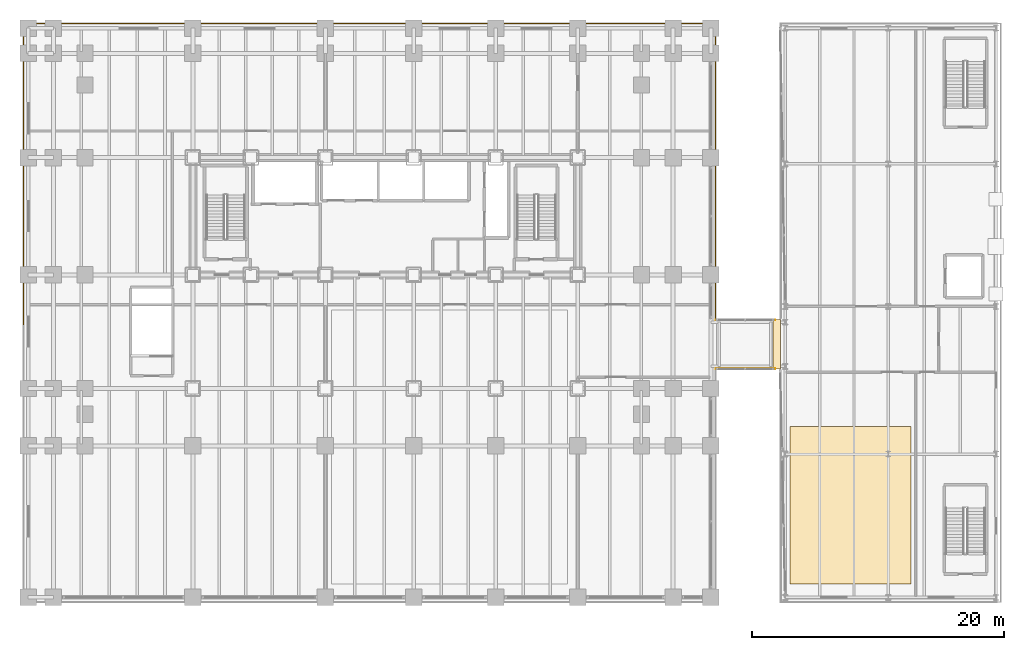
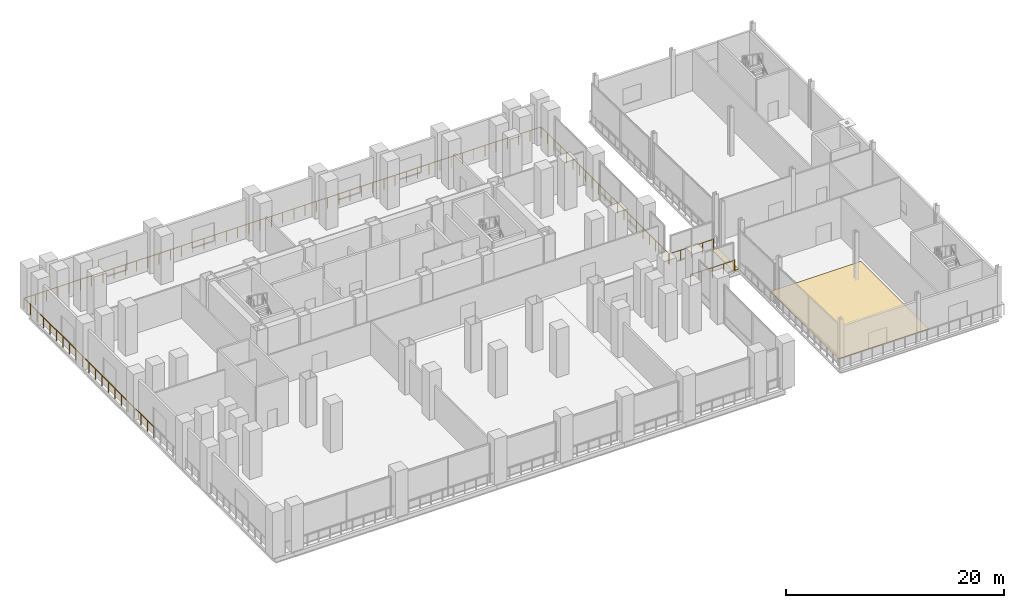
# One storey, part 28 of 30: 3 railings, 2 coverings.
"""IFC4 building model written with IfcOpenShell, lengths in metres."""

from ifc_helpers import new_model, si_unit, direction, frame, origin, origin_2d, place, context, subcontext, project, spatial, polyline, circle, outline, extrude, material, layer, layer_set, type_object, element, save


model = new_model("IFC4")

# Units and contexts
model_context = context("Model", 3, precision=1e-05, world=origin(), true_north=direction((0.0, 1.0)))
body_context = subcontext(model_context, "Body", "Model", "MODEL_VIEW")
ifc_project = project(units=[si_unit("LENGTHUNIT", "METRE"), si_unit("AREAUNIT", "SQUARE_METRE"), si_unit("VOLUMEUNIT", "CUBIC_METRE"), si_unit("PLANEANGLEUNIT", "RADIAN"), si_unit("MASSUNIT", "GRAM", prefix="KILO")], contexts=[model_context])

# Site, building, storey
site_placement = place(None, origin())
site = spatial("IfcSite", under=ifc_project, at=site_placement, CompositionType="ELEMENT")
building_placement = place(site_placement, origin())
building = spatial("IfcBuilding", under=site, at=building_placement, Name="Noeulbin Bourse Tower", CompositionType="ELEMENT")
storey_placement = place(building_placement, frame((0.0, 0.0, 16.60009765625)))
storey = spatial("IfcBuildingStorey", under=building, at=storey_placement, Name="L04", CompositionType="ELEMENT", Elevation=16.60009765625)

# Coverings
ifc_material_1 = material(Name="Honed Geumjeong Granite Paving", Category="masonry")
ifc_layer_1 = layer(ifc_material_1, 0.030029296875)
ifc_layer_set_1 = layer_set([ifc_layer_1], Name="Honed Geumjeong Granite Paving")
covering_type = type_object("IfcCoveringType", Name="COV-FLR-STN", PredefinedType="FLOORING", material=ifc_layer_set_1)
covering_1_placement = place(storey_placement, origin())
element("IfcCovering", 1, at=covering_1_placement, inside=storey, type_object=covering_type, Name="Market Hall Granite Paving L04", PredefinedType="FLOORING", context=body_context, shape_type="SweptSolid", body=[
    extrude(outline(polyline([(60.800048828125, 4.5), (70.39990234375, 4.5), (70.39990234375, 17.0), (60.800048828125, 17.0), (60.800048828125, 4.5)])), origin(), (0.0, 0.0, 1.0), 0.02978515625),
])
covering_2_placement = place(storey_placement, origin())
element("IfcCovering", 2, at=covering_2_placement, inside=storey, type_object=covering_type, Name="Seismic Expansion Joint Floor Cover L04", PredefinedType="FLOORING", context=body_context, shape_type="SweptSolid", body=[
    extrude(outline(polyline([(59.47998046875, 21.550048828125), (60.070068359375, 21.550048828125), (60.070068359375, 25.449951171875), (59.47998046875, 25.449951171875), (59.47998046875, 21.550048828125)])), origin(), (0.0, 0.0, 1.0), 0.02978515625),
])

# Railings
ifc_material_2 = material(Name="Stainless Steel 316 Post and Rail", Category="steel")
ifc_layer_2 = layer(ifc_material_2, 0.06005859375)
ifc_layer_set_2 = layer_set([ifc_layer_2], Name="Stainless Steel 316 Post and Rail")
railing_type = type_object("IfcRailingType", Name="RLG-TER-1200", PredefinedType="GUARDRAIL", material=ifc_layer_set_2)
railing_placement = place(storey_placement, frame((0.080078125, 25.06005859375, 0.0)))
element("IfcRailing", 3, at=railing_placement, inside=storey, type_object=railing_type, Name="Podium Perimeter Edge Guard L04-2", PredefinedType="GUARDRAIL", context=body_context, shape_type="SweptSolid", body=[
    extrude(circle(Radius=0.02392578125, at=origin_2d()), frame((0.0, 0.0, 1.17578125), z_axis=(0.0, 1.0, 0.0), x_axis=(-1.0, 0.0, 0.0)), (0.0, 0.0, 1.0), 23.85986328125),
    extrude(circle(Radius=0.02392578125, at=origin_2d()), frame((0.0, 23.85986328125, 1.17578125), z_axis=(1.0, 0.0, 0.0), x_axis=(0.0, 1.0, 0.0)), (0.0, 0.0, 1.0), 54.83984375),
    extrude(circle(Radius=0.02392578125, at=origin_2d()), frame((54.83984375, 23.85986328125, 1.17578125), z_axis=(0.0, -1.0, 0.0), x_axis=(1.0, 0.0, 0.0)), (0.0, 0.0, 1.0), 23.369873046875),
    extrude(circle(Radius=0.02099609375, at=origin_2d()), origin(), (0.0, 0.0, 1.0), 1.15185546875),
    extrude(circle(Radius=0.02099609375, at=origin_2d()), frame((0.0, 1.19287109375, 0.0)), (0.0, 0.0, 1.0), 1.15185546875),
    extrude(circle(Radius=0.02099609375, at=origin_2d()), frame((0.0, 2.385986328125, 0.0)), (0.0, 0.0, 1.0), 1.15185546875),
    extrude(circle(Radius=0.02099609375, at=origin_2d()), frame((0.0, 3.5791015625, 0.0)), (0.0, 0.0, 1.0), 1.15185546875),
    extrude(circle(Radius=0.02099609375, at=origin_2d()), frame((0.0, 4.77197265625, 0.0)), (0.0, 0.0, 1.0), 1.15185546875),
    extrude(circle(Radius=0.02099609375, at=origin_2d()), frame((0.0, 5.96484375, 0.0)), (0.0, 0.0, 1.0), 1.15185546875),
    extrude(circle(Radius=0.02099609375, at=origin_2d()), frame((0.0, 7.157958984375, 0.0)), (0.0, 0.0, 1.0), 1.15185546875),
    extrude(circle(Radius=0.02099609375, at=origin_2d()), frame((0.0, 8.35107421875, 0.0)), (0.0, 0.0, 1.0), 1.15185546875),
    extrude(circle(Radius=0.02099609375, at=origin_2d()), frame((0.0, 9.5439453125, 0.0)), (0.0, 0.0, 1.0), 1.15185546875),
    extrude(circle(Radius=0.02099609375, at=origin_2d()), frame((0.0, 10.73681640625, 0.0)), (0.0, 0.0, 1.0), 1.15185546875),
    extrude(circle(Radius=0.02099609375, at=origin_2d()), frame((0.0, 11.929931640625, 0.0)), (0.0, 0.0, 1.0), 1.15185546875),
    extrude(circle(Radius=0.02099609375, at=origin_2d()), frame((0.0, 13.123046875, 0.0)), (0.0, 0.0, 1.0), 1.15185546875),
    extrude(circle(Radius=0.02099609375, at=origin_2d()), frame((0.0, 14.31591796875, 0.0)), (0.0, 0.0, 1.0), 1.15185546875),
    extrude(circle(Radius=0.02099609375, at=origin_2d()), frame((0.0, 15.5087890625, 0.0)), (0.0, 0.0, 1.0), 1.15185546875),
    extrude(circle(Radius=0.02099609375, at=origin_2d()), frame((0.0, 16.701904296875, 0.0)), (0.0, 0.0, 1.0), 1.15185546875),
    extrude(circle(Radius=0.02099609375, at=origin_2d()), frame((0.0, 17.89501953125, 0.0)), (0.0, 0.0, 1.0), 1.15185546875),
    extrude(circle(Radius=0.02099609375, at=origin_2d()), frame((0.0, 19.087890625, 0.0)), (0.0, 0.0, 1.0), 1.15185546875),
    extrude(circle(Radius=0.02099609375, at=origin_2d()), frame((0.0, 20.28076171875, 0.0)), (0.0, 0.0, 1.0), 1.15185546875),
    extrude(circle(Radius=0.02099609375, at=origin_2d()), frame((0.0, 21.473876953125, 0.0)), (0.0, 0.0, 1.0), 1.15185546875),
    extrude(circle(Radius=0.02099609375, at=origin_2d()), frame((0.0, 22.6669921875, 0.0)), (0.0, 0.0, 1.0), 1.15185546875),
    extrude(circle(Radius=0.02099609375, at=origin_2d()), frame((0.0, 23.85986328125, 0.0)), (0.0, 0.0, 1.0), 1.15185546875),
    extrude(circle(Radius=0.02099609375, at=origin_2d()), frame((1.192138671875, 23.85986328125, 0.0)), (0.0, 0.0, 1.0), 1.15185546875),
    extrude(circle(Radius=0.02099609375, at=origin_2d()), frame((2.38427734375, 23.85986328125, 0.0)), (0.0, 0.0, 1.0), 1.15185546875),
    extrude(circle(Radius=0.02099609375, at=origin_2d()), frame((3.576416015625, 23.85986328125, 0.0)), (0.0, 0.0, 1.0), 1.15185546875),
    extrude(circle(Radius=0.02099609375, at=origin_2d()), frame((4.768798828125, 23.85986328125, 0.0)), (0.0, 0.0, 1.0), 1.15185546875),
    extrude(circle(Radius=0.02099609375, at=origin_2d()), frame((5.9609375, 23.85986328125, 0.0)), (0.0, 0.0, 1.0), 1.15185546875),
    extrude(circle(Radius=0.02099609375, at=origin_2d()), frame((7.153076171875, 23.85986328125, 0.0)), (0.0, 0.0, 1.0), 1.15185546875),
    extrude(circle(Radius=0.02099609375, at=origin_2d()), frame((8.34521484375, 23.85986328125, 0.0)), (0.0, 0.0, 1.0), 1.15185546875),
    extrude(circle(Radius=0.02099609375, at=origin_2d()), frame((9.537353515625, 23.85986328125, 0.0)), (0.0, 0.0, 1.0), 1.15185546875),
    extrude(circle(Radius=0.02099609375, at=origin_2d()), frame((10.7294921875, 23.85986328125, 0.0)), (0.0, 0.0, 1.0), 1.15185546875),
    extrude(circle(Radius=0.02099609375, at=origin_2d()), frame((11.921630859375, 23.85986328125, 0.0)), (0.0, 0.0, 1.0), 1.15185546875),
    extrude(circle(Radius=0.02099609375, at=origin_2d()), frame((13.11376953125, 23.85986328125, 0.0)), (0.0, 0.0, 1.0), 1.15185546875),
    extrude(circle(Radius=0.02099609375, at=origin_2d()), frame((14.30615234375, 23.85986328125, 0.0)), (0.0, 0.0, 1.0), 1.15185546875),
    extrude(circle(Radius=0.02099609375, at=origin_2d()), frame((15.498291015625, 23.85986328125, 0.0)), (0.0, 0.0, 1.0), 1.15185546875),
    extrude(circle(Radius=0.02099609375, at=origin_2d()), frame((16.6904296875, 23.85986328125, 0.0)), (0.0, 0.0, 1.0), 1.15185546875),
    extrude(circle(Radius=0.02099609375, at=origin_2d()), frame((17.882568359375, 23.85986328125, 0.0)), (0.0, 0.0, 1.0), 1.15185546875),
    extrude(circle(Radius=0.02099609375, at=origin_2d()), frame((19.07470703125, 23.85986328125, 0.0)), (0.0, 0.0, 1.0), 1.15185546875),
    extrude(circle(Radius=0.02099609375, at=origin_2d()), frame((20.266845703125, 23.85986328125, 0.0)), (0.0, 0.0, 1.0), 1.15185546875),
    extrude(circle(Radius=0.02099609375, at=origin_2d()), frame((21.458984375, 23.85986328125, 0.0)), (0.0, 0.0, 1.0), 1.15185546875),
    extrude(circle(Radius=0.02099609375, at=origin_2d()), frame((22.651123046875, 23.85986328125, 0.0)), (0.0, 0.0, 1.0), 1.15185546875),
    extrude(circle(Radius=0.02099609375, at=origin_2d()), frame((23.843505859375, 23.85986328125, 0.0)), (0.0, 0.0, 1.0), 1.15185546875),
    extrude(circle(Radius=0.02099609375, at=origin_2d()), frame((25.03564453125, 23.85986328125, 0.0)), (0.0, 0.0, 1.0), 1.15185546875),
    extrude(circle(Radius=0.02099609375, at=origin_2d()), frame((26.227783203125, 23.85986328125, 0.0)), (0.0, 0.0, 1.0), 1.15185546875),
    extrude(circle(Radius=0.02099609375, at=origin_2d()), frame((27.419921875, 23.85986328125, 0.0)), (0.0, 0.0, 1.0), 1.15185546875),
    extrude(circle(Radius=0.02099609375, at=origin_2d()), frame((28.612060546875, 23.85986328125, 0.0)), (0.0, 0.0, 1.0), 1.15185546875),
    extrude(circle(Radius=0.02099609375, at=origin_2d()), frame((29.80419921875, 23.85986328125, 0.0)), (0.0, 0.0, 1.0), 1.15185546875),
    extrude(circle(Radius=0.02099609375, at=origin_2d()), frame((30.996337890625, 23.85986328125, 0.0)), (0.0, 0.0, 1.0), 1.15185546875),
    extrude(circle(Radius=0.02099609375, at=origin_2d()), frame((32.188720703125, 23.85986328125, 0.0)), (0.0, 0.0, 1.0), 1.15185546875),
    extrude(circle(Radius=0.02099609375, at=origin_2d()), frame((33.380859375, 23.85986328125, 0.0)), (0.0, 0.0, 1.0), 1.15185546875),
    extrude(circle(Radius=0.02099609375, at=origin_2d()), frame((34.572998046875, 23.85986328125, 0.0)), (0.0, 0.0, 1.0), 1.15185546875),
    extrude(circle(Radius=0.02099609375, at=origin_2d()), frame((35.76513671875, 23.85986328125, 0.0)), (0.0, 0.0, 1.0), 1.15185546875),
    extrude(circle(Radius=0.02099609375, at=origin_2d()), frame((36.957275390625, 23.85986328125, 0.0)), (0.0, 0.0, 1.0), 1.15185546875),
    extrude(circle(Radius=0.02099609375, at=origin_2d()), frame((38.1494140625, 23.85986328125, 0.0)), (0.0, 0.0, 1.0), 1.15185546875),
    extrude(circle(Radius=0.02099609375, at=origin_2d()), frame((39.341552734375, 23.85986328125, 0.0)), (0.0, 0.0, 1.0), 1.15185546875),
    extrude(circle(Radius=0.02099609375, at=origin_2d()), frame((40.53369140625, 23.85986328125, 0.0)), (0.0, 0.0, 1.0), 1.15185546875),
    extrude(circle(Radius=0.02099609375, at=origin_2d()), frame((41.72607421875, 23.85986328125, 0.0)), (0.0, 0.0, 1.0), 1.15185546875),
    extrude(circle(Radius=0.02099609375, at=origin_2d()), frame((42.918212890625, 23.85986328125, 0.0)), (0.0, 0.0, 1.0), 1.15185546875),
    extrude(circle(Radius=0.02099609375, at=origin_2d()), frame((44.1103515625, 23.85986328125, 0.0)), (0.0, 0.0, 1.0), 1.15185546875),
    extrude(circle(Radius=0.02099609375, at=origin_2d()), frame((45.302490234375, 23.85986328125, 0.0)), (0.0, 0.0, 1.0), 1.15185546875),
    extrude(circle(Radius=0.02099609375, at=origin_2d()), frame((46.49462890625, 23.85986328125, 0.0)), (0.0, 0.0, 1.0), 1.15185546875),
    extrude(circle(Radius=0.02099609375, at=origin_2d()), frame((47.686767578125, 23.85986328125, 0.0)), (0.0, 0.0, 1.0), 1.15185546875),
    extrude(circle(Radius=0.02099609375, at=origin_2d()), frame((48.87890625, 23.85986328125, 0.0)), (0.0, 0.0, 1.0), 1.15185546875),
    extrude(circle(Radius=0.02099609375, at=origin_2d()), frame((50.071044921875, 23.85986328125, 0.0)), (0.0, 0.0, 1.0), 1.15185546875),
    extrude(circle(Radius=0.02099609375, at=origin_2d()), frame((51.263427734375, 23.85986328125, 0.0)), (0.0, 0.0, 1.0), 1.15185546875),
    extrude(circle(Radius=0.02099609375, at=origin_2d()), frame((52.45556640625, 23.85986328125, 0.0)), (0.0, 0.0, 1.0), 1.15185546875),
    extrude(circle(Radius=0.02099609375, at=origin_2d()), frame((53.647705078125, 23.85986328125, 0.0)), (0.0, 0.0, 1.0), 1.15185546875),
    extrude(circle(Radius=0.02099609375, at=origin_2d()), frame((54.83984375, 23.85986328125, 0.0)), (0.0, 0.0, 1.0), 1.15185546875),
    extrude(circle(Radius=0.02099609375, at=origin_2d()), frame((54.83984375, 22.69140625, 0.0)), (0.0, 0.0, 1.0), 1.15185546875),
    extrude(circle(Radius=0.02099609375, at=origin_2d()), frame((54.83984375, 21.52294921875, 0.0)), (0.0, 0.0, 1.0), 1.15185546875),
    extrude(circle(Radius=0.02099609375, at=origin_2d()), frame((54.83984375, 20.3544921875, 0.0)), (0.0, 0.0, 1.0), 1.15185546875),
    extrude(circle(Radius=0.02099609375, at=origin_2d()), frame((54.83984375, 19.185791015625, 0.0)), (0.0, 0.0, 1.0), 1.15185546875),
    extrude(circle(Radius=0.02099609375, at=origin_2d()), frame((54.83984375, 18.017333984375, 0.0)), (0.0, 0.0, 1.0), 1.15185546875),
    extrude(circle(Radius=0.02099609375, at=origin_2d()), frame((54.83984375, 16.848876953125, 0.0)), (0.0, 0.0, 1.0), 1.15185546875),
    extrude(circle(Radius=0.02099609375, at=origin_2d()), frame((54.83984375, 15.680419921875, 0.0)), (0.0, 0.0, 1.0), 1.15185546875),
    extrude(circle(Radius=0.02099609375, at=origin_2d()), frame((54.83984375, 14.511962890625, 0.0)), (0.0, 0.0, 1.0), 1.15185546875),
    extrude(circle(Radius=0.02099609375, at=origin_2d()), frame((54.83984375, 13.343505859375, 0.0)), (0.0, 0.0, 1.0), 1.15185546875),
    extrude(circle(Radius=0.02099609375, at=origin_2d()), frame((54.83984375, 12.1748046875, 0.0)), (0.0, 0.0, 1.0), 1.15185546875),
    extrude(circle(Radius=0.02099609375, at=origin_2d()), frame((54.83984375, 11.00634765625, 0.0)), (0.0, 0.0, 1.0), 1.15185546875),
    extrude(circle(Radius=0.02099609375, at=origin_2d()), frame((54.83984375, 9.837890625, 0.0)), (0.0, 0.0, 1.0), 1.15185546875),
    extrude(circle(Radius=0.02099609375, at=origin_2d()), frame((54.83984375, 8.66943359375, 0.0)), (0.0, 0.0, 1.0), 1.15185546875),
    extrude(circle(Radius=0.02099609375, at=origin_2d()), frame((54.83984375, 7.5009765625, 0.0)), (0.0, 0.0, 1.0), 1.15185546875),
    extrude(circle(Radius=0.02099609375, at=origin_2d()), frame((54.83984375, 6.33251953125, 0.0)), (0.0, 0.0, 1.0), 1.15185546875),
    extrude(circle(Radius=0.02099609375, at=origin_2d()), frame((54.83984375, 5.1640625, 0.0)), (0.0, 0.0, 1.0), 1.15185546875),
    extrude(circle(Radius=0.02099609375, at=origin_2d()), frame((54.83984375, 3.995361328125, 0.0)), (0.0, 0.0, 1.0), 1.15185546875),
    extrude(circle(Radius=0.02099609375, at=origin_2d()), frame((54.83984375, 2.826904296875, 0.0)), (0.0, 0.0, 1.0), 1.15185546875),
    extrude(circle(Radius=0.02099609375, at=origin_2d()), frame((54.83984375, 1.658447265625, 0.0)), (0.0, 0.0, 1.0), 1.15185546875),
    extrude(circle(Radius=0.02099609375, at=origin_2d()), frame((54.83984375, 0.489990234375, 0.0)), (0.0, 0.0, 1.0), 1.15185546875),
])
for number, where, name in (
    (4, (54.9599609375, 21.56005859375, 0.0), "Bridge South Edge Guard L04"),
    (5, (54.9599609375, 25.43994140625, 0.0), "Bridge North Edge Guard L04"),
):
    element("IfcRailing", number, at=place(storey_placement, frame(where)), inside=storey, type_object=railing_type, Name=name, PredefinedType="GUARDRAIL", context=body_context, shape_type="SweptSolid", body=[
        extrude(circle(Radius=0.02392578125, at=origin_2d()), frame((0.0, 0.0, 1.17578125), z_axis=(1.0, 0.0, 0.0), x_axis=(0.0, 1.0, 0.0)), (0.0, 0.0, 1.0), 4.679931640625),
        extrude(circle(Radius=0.02099609375, at=origin_2d()), origin(), (0.0, 0.0, 1.0), 1.15185546875),
        extrude(circle(Radius=0.02099609375, at=origin_2d()), frame((1.169921875, 0.0, 0.0)), (0.0, 0.0, 1.0), 1.15185546875),
        extrude(circle(Radius=0.02099609375, at=origin_2d()), frame((2.33984375, 0.0, 0.0)), (0.0, 0.0, 1.0), 1.15185546875),
        extrude(circle(Radius=0.02099609375, at=origin_2d()), frame((3.510009765625, 0.0, 0.0)), (0.0, 0.0, 1.0), 1.15185546875),
        extrude(circle(Radius=0.02099609375, at=origin_2d()), frame((4.679931640625, 0.0, 0.0)), (0.0, 0.0, 1.0), 1.15185546875),
    ])

save(model, "model.ifc")
